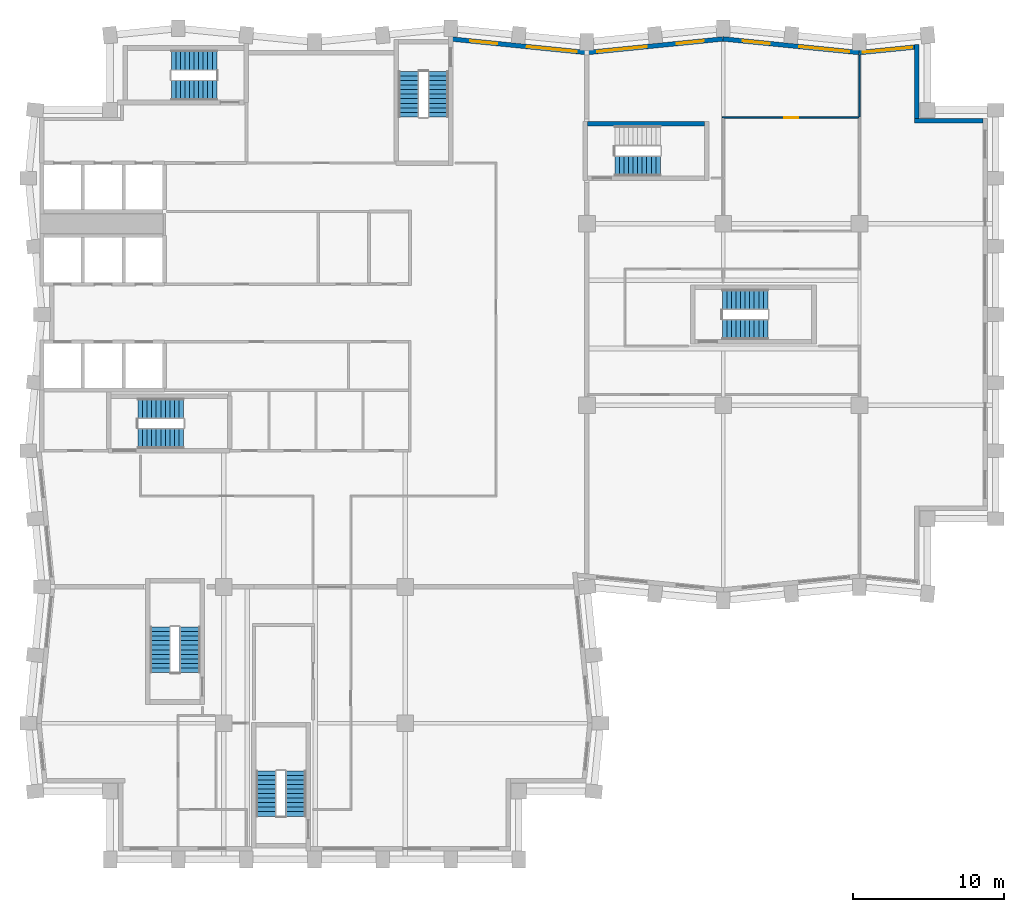
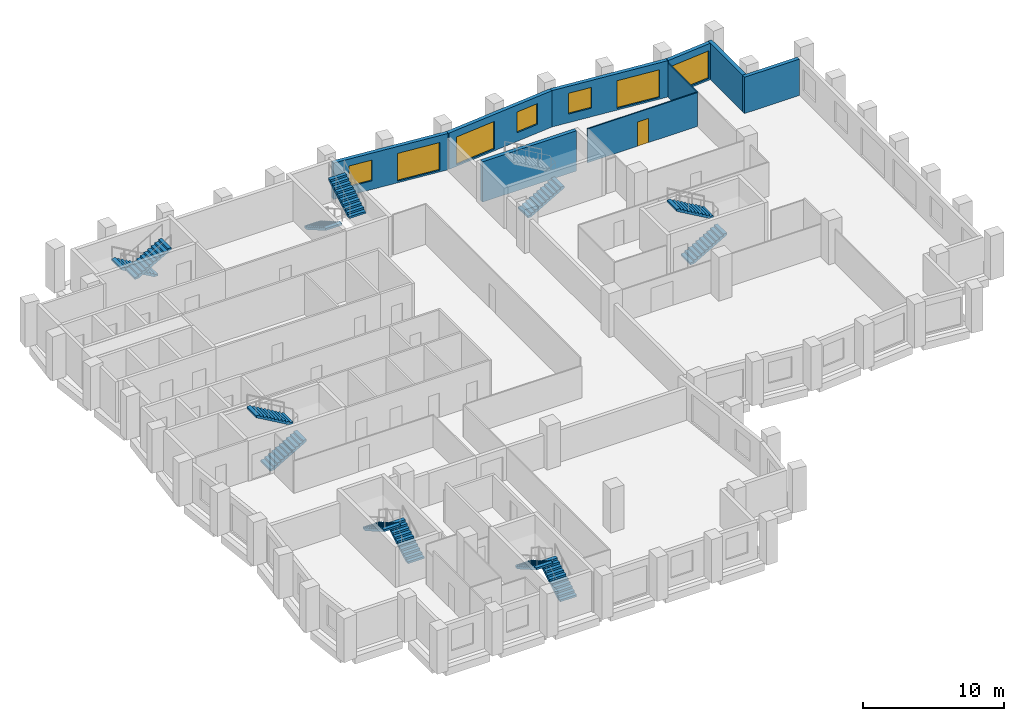
# One storey, part 7 of 10: 13 stair flights, 9 walls, 7 windows, 1 door, 8 openings, 7 elements without a shape of their own.
"""IFC4 building model written with IfcOpenShell, lengths in metres."""

from ifc_helpers import new_model, si_unit, direction, frame, frame_2d, origin, place, context, subcontext, project, spatial, polyline, rectangle, outline, extrude, material, layer, layer_set, type_object, element, fill, aggregate, save


model = new_model("IFC4")

# Units and contexts
model_context = context("Model", 3, precision=1e-05, world=origin(), true_north=direction((0.0, 1.0)))
body_context = subcontext(model_context, "Body", "Model", "MODEL_VIEW")
ifc_project = project(units=[si_unit("LENGTHUNIT", "METRE"), si_unit("AREAUNIT", "SQUARE_METRE"), si_unit("VOLUMEUNIT", "CUBIC_METRE"), si_unit("PLANEANGLEUNIT", "RADIAN"), si_unit("MASSUNIT", "GRAM", prefix="KILO")], contexts=[model_context])

# Site, building, storey
site_placement = place(None, origin())
site = spatial("IfcSite", under=ifc_project, at=site_placement, CompositionType="ELEMENT")
building_placement = place(site_placement, origin())
building = spatial("IfcBuilding", under=site, at=building_placement, Name="Brondeck Convention Tower", CompositionType="ELEMENT")
storey_placement = place(building_placement, frame((0.0, 0.0, 177.60009765625)))
storey = spatial("IfcBuildingStorey", under=building, at=storey_placement, Name="L43", CompositionType="ELEMENT", Elevation=177.60009765625)

# Walls
ifc_material_1 = material(Name="Precast concrete C50/60 bronze finish", Category="concrete")
ifc_layer_1 = layer(ifc_material_1, 0.070068359375, Name="Bronze precast facing")
ifc_material_2 = material(Name="Mineral wool")
ifc_layer_2 = layer(ifc_material_2, 0.159912109375, Name="Insulation")
ifc_material_3 = material(Name="Concrete C35/45", Category="concrete")
ifc_layer_3 = layer(ifc_material_3, 0.070068359375, Name="Backing")
ifc_layer_set_1 = layer_set([ifc_layer_1, ifc_layer_2, ifc_layer_3], Name="External infill wall, precast concrete C50/60 bronze facing")
wall_type_1 = type_object("IfcWallType", Name="External infill wall, precast concrete C50/60 bronze facing", PredefinedType="SOLIDWALL", material=ifc_layer_set_1)
wall_1_placement = place(storey_placement, frame((57.64990234375, 57.800048828125, 0.0), z_axis=(0.0, 0.0, 1.0), x_axis=(1.0, 0.0, 0.0)))
element("IfcWall", 1, at=wall_1_placement, inside=storey, type_object=wall_type_1, Name="ENV-EW-L43-P1-NC-NEA63-01", PredefinedType="SOLIDWALL", context=body_context, shape_type="SweptSolid", body=[
    extrude(rectangle(XDim=4.502197265625, YDim=0.300048828125, at=frame_2d((2.2509765625, 0.0))), origin(), (0.0, 0.0, 1.0), 3.14990234375),
])
wall_2_placement = place(storey_placement, frame((57.800048828125, 62.84228515625, 0.0), z_axis=(0.0, 0.0, 1.0), x_axis=(0.0, -1.0, 0.0)))
element("IfcWall", 2, at=wall_2_placement, inside=storey, type_object=wall_type_1, Name="ENV-EW-L43-P1-NC-NEA63-02", PredefinedType="SOLIDWALL", context=body_context, shape_type="SweptSolid", body=[
    extrude(rectangle(XDim=4.894287109375, YDim=0.300048828125, at=frame_2d((2.447265625, 0.0))), origin(), (0.0, 0.0, 1.0), 3.14990234375),
])

# Wall, opening, window
wall_3_placement = place(storey_placement, frame((53.985107421875, 62.294921875, 0.0), z_axis=(0.0, 0.0, 1.0), x_axis=(0.99503719021, 0.099503719021, 0.0)))
wall_3 = element("IfcWall", 3, at=wall_3_placement, inside=storey, type_object=wall_type_1, Name="ENV-EW-L43-P1-A-N-12", PredefinedType="SOLIDWALL", context=body_context, shape_type="SweptSolid", body=[
    extrude(rectangle(XDim=3.677978515625, YDim=0.300048828125, at=frame_2d((1.8388671875, 0.0))), origin(), (0.0, 0.0, 1.0), 3.14990234375),
])
opening_1_placement = place(wall_3_placement, frame((0.22802734375, 0.0, 0.14990234375)))
opening_1 = element("IfcOpeningElement", 4, at=opening_1_placement, cuts=wall_3, Name="Opening W9", PredefinedType="OPENING", context=body_context, shape_type="SweptSolid", body=[
    extrude(rectangle(XDim=3.300048828125, YDim=2.39990234375, at=frame_2d((1.64990234375, 1.199951171875))), frame((0.0, 0.159912109375, 0.0), z_axis=(0.0, -1.0, 0.0), x_axis=(1.0, 0.0, 0.0)), (0.0, 0.0, 1.0), 0.320068359375),
])
ifc_material_4 = material(Name="Bronze tinted double glazing", Category="glass")
window_type_1 = type_object("IfcWindowType", Name="Glazed flute window, bronze tinted", PartitioningType="SINGLE_PANEL", PredefinedType="WINDOW", material=ifc_material_4)
window_1_placement = place(opening_1_placement, origin())
window_1 = element("IfcWindow", 5, at=window_1_placement, inside=storey, type_object=window_type_1, Name="ENV-WN-L43-P1-A-N-12", OverallHeight=2.39990234375, OverallWidth=3.300048828125, PartitioningType="SINGLE_PANEL", PredefinedType="WINDOW", context=body_context, shape_type="SweptSolid", body=[
    extrude(rectangle(XDim=3.300048828125, YDim=2.39990234375, at=frame_2d((1.64990234375, 1.199951171875))), frame((0.0, 0.030029296875, 0.0), z_axis=(0.0, -1.0, 0.0), x_axis=(1.0, 0.0, 0.0)), (0.0, 0.0, 1.0), 0.06005859375),
])
fill(opening_1, window_1)

# Wall, openings, windows
wall_4_placement = place(storey_placement, frame((44.985107421875, 63.197998046875, 0.0), z_axis=(0.0, 0.0, 1.0), x_axis=(0.995037993253, -0.099495688264, 0.0)))
wall_4 = element("IfcWall", 6, at=wall_4_placement, inside=storey, type_object=wall_type_1, Name="ENV-EW-L43-P1-A-N-11", PredefinedType="SOLIDWALL", context=body_context, shape_type="SweptSolid", body=[
    extrude(rectangle(XDim=9.030029296875, YDim=0.300048828125, at=frame_2d((4.51513671875, 0.0))), origin(), (0.0, 0.0, 1.0), 3.14990234375),
])
opening_2_placement = place(wall_4_placement, frame((1.30615234375, 0.0, 0.75)))
opening_2 = element("IfcOpeningElement", 7, at=opening_2_placement, cuts=wall_4, Name="Opening W10", PredefinedType="OPENING", context=body_context, shape_type="SweptSolid", body=[
    extrude(rectangle(XDim=1.800048828125, YDim=1.800048828125, at=frame_2d((0.89990234375, 0.89990234375))), frame((0.0, 0.159912109375, 0.0), z_axis=(0.0, -1.0, 0.0), x_axis=(1.0, 0.0, 0.0)), (0.0, 0.0, 1.0), 0.320068359375),
])
opening_3_placement = place(wall_4_placement, frame((5.07861328125, 0.0, 0.14990234375)))
opening_3 = element("IfcOpeningElement", 8, at=opening_3_placement, cuts=wall_4, Name="Opening W9", PredefinedType="OPENING", context=body_context, shape_type="SweptSolid", body=[
    extrude(rectangle(XDim=3.300048828125, YDim=2.39990234375, at=frame_2d((1.64990234375, 1.199951171875))), frame((0.0, 0.159912109375, 0.0), z_axis=(0.0, -1.0, 0.0), x_axis=(1.0, 0.0, 0.0)), (0.0, 0.0, 1.0), 0.320068359375),
])
window_2_placement = place(opening_3_placement, origin())
window_2 = element("IfcWindow", 9, at=window_2_placement, inside=storey, type_object=window_type_1, Name="ENV-WN-L43-P1-A-N-11", OverallHeight=2.39990234375, OverallWidth=3.300048828125, PartitioningType="SINGLE_PANEL", PredefinedType="WINDOW", context=body_context, shape_type="SweptSolid", body=[
    extrude(rectangle(XDim=3.300048828125, YDim=2.39990234375, at=frame_2d((1.64990234375, 1.199951171875))), frame((0.0, 0.030029296875, 0.0), z_axis=(0.0, -1.0, 0.0), x_axis=(1.0, 0.0, 0.0)), (0.0, 0.0, 1.0), 0.06005859375),
])
fill(opening_3, window_2)
window_type_2 = type_object("IfcWindowType", Name="Punched window, bronze tinted", PartitioningType="SINGLE_PANEL", PredefinedType="WINDOW", material=ifc_material_4)
window_3_placement = place(opening_2_placement, origin())
window_3 = element("IfcWindow", 10, at=window_3_placement, inside=storey, type_object=window_type_2, Name="ENV-WN-L43-P1-A-N-10", OverallHeight=1.800048828125, OverallWidth=1.800048828125, PartitioningType="SINGLE_PANEL", PredefinedType="WINDOW", context=body_context, shape_type="SweptSolid", body=[
    extrude(rectangle(XDim=1.800048828125, YDim=1.800048828125, at=frame_2d((0.89990234375, 0.89990234375))), frame((0.0, 0.030029296875, 0.0), z_axis=(0.0, -1.0, 0.0), x_axis=(1.0, 0.0, 0.0)), (0.0, 0.0, 1.0), 0.06005859375),
])
fill(opening_2, window_3)

wall_5_placement = place(storey_placement, frame((35.985107421875, 62.294921875, 0.0), z_axis=(0.0, 0.0, 1.0), x_axis=(0.995035316196, 0.099522457379, 0.0)))
wall_5 = element("IfcWall", 11, at=wall_5_placement, inside=storey, type_object=wall_type_1, Name="ENV-EW-L43-P1-A-N-09", PredefinedType="SOLIDWALL", context=body_context, shape_type="SweptSolid", body=[
    extrude(rectangle(XDim=9.030029296875, YDim=0.300048828125, at=frame_2d((4.51513671875, 0.0))), origin(), (0.0, 0.0, 1.0), 3.14990234375),
])
opening_4_placement = place(wall_5_placement, frame((0.6962890625, 0.0, 0.14990234375)))
opening_4 = element("IfcOpeningElement", 12, at=opening_4_placement, cuts=wall_5, Name="Opening W9", PredefinedType="OPENING", context=body_context, shape_type="SweptSolid", body=[
    extrude(rectangle(XDim=3.300048828125, YDim=2.39990234375, at=frame_2d((1.64990234375, 1.199951171875))), frame((0.0, 0.159912109375, 0.0), z_axis=(0.0, -1.0, 0.0), x_axis=(1.0, 0.0, 0.0)), (0.0, 0.0, 1.0), 0.320068359375),
])
opening_5_placement = place(wall_5_placement, frame((5.968505859375, 0.0, 0.75)))
opening_5 = element("IfcOpeningElement", 13, at=opening_5_placement, cuts=wall_5, Name="Opening W10", PredefinedType="OPENING", context=body_context, shape_type="SweptSolid", body=[
    extrude(rectangle(XDim=1.800048828125, YDim=1.800048828125, at=frame_2d((0.89990234375, 0.89990234375))), frame((0.0, 0.159912109375, 0.0), z_axis=(0.0, -1.0, 0.0), x_axis=(1.0, 0.0, 0.0)), (0.0, 0.0, 1.0), 0.320068359375),
])
window_4_placement = place(opening_4_placement, origin())
window_4 = element("IfcWindow", 14, at=window_4_placement, inside=storey, type_object=window_type_1, Name="ENV-WN-L43-P1-A-N-08", OverallHeight=2.39990234375, OverallWidth=3.300048828125, PartitioningType="SINGLE_PANEL", PredefinedType="WINDOW", context=body_context, shape_type="SweptSolid", body=[
    extrude(rectangle(XDim=3.300048828125, YDim=2.39990234375, at=frame_2d((1.64990234375, 1.199951171875))), frame((0.0, 0.030029296875, 0.0), z_axis=(0.0, -1.0, 0.0), x_axis=(1.0, 0.0, 0.0)), (0.0, 0.0, 1.0), 0.06005859375),
])
fill(opening_4, window_4)
window_5_placement = place(opening_5_placement, origin())
window_5 = element("IfcWindow", 15, at=window_5_placement, inside=storey, type_object=window_type_2, Name="ENV-WN-L43-P1-A-N-09", OverallHeight=1.800048828125, OverallWidth=1.800048828125, PartitioningType="SINGLE_PANEL", PredefinedType="WINDOW", context=body_context, shape_type="SweptSolid", body=[
    extrude(rectangle(XDim=1.800048828125, YDim=1.800048828125, at=frame_2d((0.89990234375, 0.89990234375))), frame((0.0, 0.030029296875, 0.0), z_axis=(0.0, -1.0, 0.0), x_axis=(1.0, 0.0, 0.0)), (0.0, 0.0, 1.0), 0.06005859375),
])
fill(opening_5, window_5)

wall_6_placement = place(storey_placement, frame((27.07958984375, 63.188720703125, 0.0), z_axis=(0.0, 0.0, 1.0), x_axis=(0.995036108007, -0.099514540459, 0.0)))
wall_6 = element("IfcWall", 16, at=wall_6_placement, inside=storey, type_object=wall_type_1, Name="ENV-EW-L43-P1-A-N-07", PredefinedType="SOLIDWALL", context=body_context, shape_type="SweptSolid", body=[
    extrude(rectangle(XDim=8.93505859375, YDim=0.300048828125, at=frame_2d((4.467529296875, 0.0))), origin(), (0.0, 0.0, 1.0), 3.14990234375),
])
opening_6_placement = place(wall_6_placement, frame((1.211181640625, 0.0, 0.75)))
opening_6 = element("IfcOpeningElement", 17, at=opening_6_placement, cuts=wall_6, Name="Opening W10", PredefinedType="OPENING", context=body_context, shape_type="SweptSolid", body=[
    extrude(rectangle(XDim=1.800048828125, YDim=1.800048828125, at=frame_2d((0.89990234375, 0.89990234375))), frame((0.0, 0.159912109375, 0.0), z_axis=(0.0, -1.0, 0.0), x_axis=(1.0, 0.0, 0.0)), (0.0, 0.0, 1.0), 0.320068359375),
])
opening_7_placement = place(wall_6_placement, frame((4.983642578125, 0.0, 0.14990234375)))
opening_7 = element("IfcOpeningElement", 18, at=opening_7_placement, cuts=wall_6, Name="Opening W9", PredefinedType="OPENING", context=body_context, shape_type="SweptSolid", body=[
    extrude(rectangle(XDim=3.300048828125, YDim=2.39990234375, at=frame_2d((1.64990234375, 1.199951171875))), frame((0.0, 0.159912109375, 0.0), z_axis=(0.0, -1.0, 0.0), x_axis=(1.0, 0.0, 0.0)), (0.0, 0.0, 1.0), 0.320068359375),
])
window_6_placement = place(opening_7_placement, origin())
window_6 = element("IfcWindow", 19, at=window_6_placement, inside=storey, type_object=window_type_1, Name="ENV-WN-L43-P1-A-N-07", OverallHeight=2.39990234375, OverallWidth=3.300048828125, PartitioningType="SINGLE_PANEL", PredefinedType="WINDOW", context=body_context, shape_type="SweptSolid", body=[
    extrude(rectangle(XDim=3.300048828125, YDim=2.39990234375, at=frame_2d((1.64990234375, 1.199951171875))), frame((0.0, 0.030029296875, 0.0), z_axis=(0.0, -1.0, 0.0), x_axis=(1.0, 0.0, 0.0)), (0.0, 0.0, 1.0), 0.06005859375),
])
fill(opening_7, window_6)
window_7_placement = place(opening_6_placement, origin())
window_7 = element("IfcWindow", 20, at=window_7_placement, inside=storey, type_object=window_type_2, Name="ENV-WN-L43-P1-A-N-06", OverallHeight=1.800048828125, OverallWidth=1.800048828125, PartitioningType="SINGLE_PANEL", PredefinedType="WINDOW", context=body_context, shape_type="SweptSolid", body=[
    extrude(rectangle(XDim=1.800048828125, YDim=1.800048828125, at=frame_2d((0.89990234375, 0.89990234375))), frame((0.0, 0.030029296875, 0.0), z_axis=(0.0, -1.0, 0.0), x_axis=(1.0, 0.0, 0.0)), (0.0, 0.0, 1.0), 0.06005859375),
])
fill(opening_6, window_7)

# Wall, opening, door
ifc_material_5 = material(Name="Gypsum board partition on steel studs", Category="steel")
ifc_layer_4 = layer(ifc_material_5, 0.10009765625)
ifc_layer_set_2 = layer_set([ifc_layer_4], Name="Room partition 100")
wall_type_2 = type_object("IfcWallType", Name="Room partition 100", PredefinedType="PARTITIONING", material=ifc_layer_set_2)
wall_7_placement = place(storey_placement, frame((44.949951171875, 58.0, 0.0), z_axis=(0.0, 0.0, 1.0), x_axis=(1.0, 0.0, 0.0)))
wall_7 = element("IfcWall", 21, at=wall_7_placement, inside=storey, type_object=wall_type_2, Name="FLR-L43-W050", PredefinedType="PARTITIONING", context=body_context, shape_type="SweptSolid", body=[
    extrude(rectangle(XDim=9.0, YDim=0.10009765625, at=frame_2d((4.5, 0.0))), origin(), (0.0, 0.0, 1.0), 2.929931640625),
])
opening_8_placement = place(wall_7_placement, frame((4.10009765625, 0.0, 0.0)))
opening_8 = element("IfcOpeningElement", 22, at=opening_8_placement, cuts=wall_7, Name="Opening OF-I-008", PredefinedType="OPENING", context=body_context, shape_type="SweptSolid", body=[
    extrude(rectangle(XDim=0.89990234375, YDim=2.10009765625, at=frame_2d((0.449951171875, 1.050048828125))), frame((0.0, 0.06005859375, 0.0), z_axis=(0.0, -1.0, 0.0), x_axis=(1.0, 0.0, 0.0)), (0.0, 0.0, 1.0), 0.1201171875),
])
ifc_material_6 = material(Name="Solid timber door leaf", Category="wood")
door_type = type_object("IfcDoorType", Name="Single door 900", OperationType="NOTDEFINED", PredefinedType="DOOR", material=ifc_material_6)
door_placement = place(opening_8_placement, origin())
door = element("IfcDoor", 23, at=door_placement, inside=storey, type_object=door_type, Name="Door OF-I-008", OperationType="SINGLE_SWING_LEFT", OverallHeight=2.10009765625, OverallWidth=0.89990234375, PredefinedType="DOOR", context=body_context, shape_type="SweptSolid", body=[
    extrude(rectangle(XDim=0.89990234375, YDim=2.10009765625, at=frame_2d((0.449951171875, 1.050048828125))), frame((0.0, 0.02490234375, 0.0), z_axis=(0.0, -1.0, 0.0), x_axis=(1.0, 0.0, 0.0)), (0.0, 0.0, 1.0), 0.050048828125),
])
fill(opening_8, door)

# Walls
wall_8_placement = place(storey_placement, frame((54.0, 58.050048828125, 0.0), z_axis=(0.0, 0.0, 1.0), x_axis=(0.0, 1.0, 0.0)))
element("IfcWall", 24, at=wall_8_placement, inside=storey, type_object=wall_type_2, Name="FLR-L43-W051", PredefinedType="PARTITIONING", context=body_context, shape_type="SweptSolid", body=[
    extrude(rectangle(XDim=4.07568359375, YDim=0.10009765625, at=frame_2d((2.037841796875, 0.0))), origin(), (0.0, 0.0, 1.0), 2.929931640625),
])
ifc_material_7 = material(Name="Concrete C70/85", Category="concrete")
ifc_layer_5 = layer(ifc_material_7, 0.300048828125)
ifc_layer_set_3 = layer_set([ifc_layer_5], Name="Stair enclosure wall 300 Concrete C70/85")
wall_type_3 = type_object("IfcWallType", Name="Stair enclosure wall 300 Concrete C70/85", PredefinedType="SHEAR", material=ifc_layer_set_3)
wall_9_placement = place(storey_placement, frame((36.050048828125, 57.60009765625, 0.0), z_axis=(0.0, 0.0, 1.0), x_axis=(1.0, 0.0, 0.0)))
element("IfcWall", 25, at=wall_9_placement, inside=storey, type_object=wall_type_3, Name="L43 core wall", PredefinedType="SHEAR", context=body_context, shape_type="SweptSolid", body=[
    extrude(rectangle(XDim=7.699951171875, YDim=0.300048828125, at=frame_2d((3.85009765625, 0.0))), origin(), (0.0, 0.0, 1.0), 3.5),
])

# Stair, stair flights
ifc_material_8 = material(Name="Precast concrete C50/60", Category="concrete")
stair_type = type_object("IfcStairType", Name="Core stair 22 risers 172.73 mm riser 300 mm going 1350 wide", PredefinedType="HALF_TURN_STAIR", material=ifc_material_8)
stair_1_placement = place(storey_placement, origin())
stair_1 = element("IfcStair", 26, at=stair_1_placement, inside=storey, type_object=stair_type, Name="ST-1 L43 stair", PredefinedType="HALF_TURN_STAIR")
stair_flight_type = type_object("IfcStairFlightType", Name="Core stair flight 22 risers 172.73 mm riser 300 mm going 1350 wide", PredefinedType="STRAIGHT", material=ifc_material_8)
stair_flight_1_placement = place(storey_placement, frame((6.35009765625, 36.824951171875, 0.0), z_axis=(0.0, 0.0, 1.0), x_axis=(1.0, 0.0, 0.0)))
stair_flight_1 = element("IfcStairFlight", 27, at=stair_flight_1_placement, type_object=stair_flight_type, Name="ST-1 flight 1", NumberOfRisers=11, NumberOfTreads=10, PredefinedType="STRAIGHT", RiserHeight=0.172727273, TreadLength=0.3, context=body_context, shape_type="SweptSolid", body=[
    extrude(outline(polyline([(0.0, 0.0), (0.0, 0.172607421875), (0.300048828125, 0.172607421875), (0.300048828125, 0.345458984375), (0.60009765625, 0.345458984375), (0.60009765625, 0.51806640625), (0.89990234375, 0.51806640625), (0.89990234375, 0.69091796875), (1.199951171875, 0.69091796875), (1.199951171875, 0.863525390625), (1.5, 0.863525390625), (1.5, 1.036376953125), (1.800048828125, 1.036376953125), (1.800048828125, 1.208984375), (2.10009765625, 1.208984375), (2.10009765625, 1.3818359375), (2.39990234375, 1.3818359375), (2.39990234375, 1.554443359375), (2.699951171875, 1.554443359375), (2.699951171875, 1.727294921875), (3.0, 1.727294921875), (3.0, 1.89990234375), (3.0, 1.55419921875), (0.300537109375, 0.0), (0.0, 0.0)])), frame((0.0, 0.675048828125, 0.0), z_axis=(0.0, -1.0, 0.0), x_axis=(1.0, 0.0, 0.0)), (0.0, 0.0, 1.0), 1.35009765625),
])
stair_flight_2_placement = place(storey_placement, frame((9.35009765625, 38.77490234375, 1.89990234375), z_axis=(0.0, 0.0, 1.0), x_axis=(-1.0, 0.0, 0.0)))
stair_flight_2 = element("IfcStairFlight", 28, at=stair_flight_2_placement, type_object=stair_flight_type, Name="ST-1 flight 2", NumberOfRisers=11, NumberOfTreads=10, PredefinedType="STRAIGHT", RiserHeight=0.172727273, TreadLength=0.3, context=body_context, shape_type="SweptSolid", body=[
    extrude(outline(polyline([(0.0, 0.0), (0.0, 0.172607421875), (0.300048828125, 0.172607421875), (0.300048828125, 0.345458984375), (0.60009765625, 0.345458984375), (0.60009765625, 0.51806640625), (0.89990234375, 0.51806640625), (0.89990234375, 0.69091796875), (1.199951171875, 0.69091796875), (1.199951171875, 0.863525390625), (1.5, 0.863525390625), (1.5, 1.036376953125), (1.800048828125, 1.036376953125), (1.800048828125, 1.208984375), (2.10009765625, 1.208984375), (2.10009765625, 1.3818359375), (2.39990234375, 1.3818359375), (2.39990234375, 1.554443359375), (2.699951171875, 1.554443359375), (2.699951171875, 1.727294921875), (3.0, 1.727294921875), (3.0, 1.89990234375), (3.0, 1.55419921875), (0.300537109375, 0.0), (0.0, 0.0)])), frame((0.0, 0.675048828125, 0.0), z_axis=(0.0, -1.0, 0.0), x_axis=(1.0, 0.0, 0.0)), (0.0, 0.0, 1.0), 1.35009765625),
])
aggregate(stair_1, [stair_flight_1, stair_flight_2])

stair_2_placement = place(storey_placement, origin())
stair_2 = element("IfcStair", 29, at=stair_2_placement, inside=storey, type_object=stair_type, Name="ST-2 L43 stair", PredefinedType="HALF_TURN_STAIR")
stair_flight_3_placement = place(storey_placement, frame((24.22509765625, 61.050048828125, 0.0), z_axis=(0.0, 0.0, 1.0), x_axis=(0.0, -1.0, 0.0)))
stair_flight_3 = element("IfcStairFlight", 30, at=stair_flight_3_placement, type_object=stair_flight_type, Name="ST-2 flight 1", NumberOfRisers=11, NumberOfTreads=10, PredefinedType="STRAIGHT", RiserHeight=0.172727273, TreadLength=0.3, context=body_context, shape_type="SweptSolid", body=[
    extrude(outline(polyline([(0.0, 0.0), (0.0, 0.172607421875), (0.300048828125, 0.172607421875), (0.300048828125, 0.345458984375), (0.60009765625, 0.345458984375), (0.60009765625, 0.51806640625), (0.89990234375, 0.51806640625), (0.89990234375, 0.69091796875), (1.199951171875, 0.69091796875), (1.199951171875, 0.863525390625), (1.5, 0.863525390625), (1.5, 1.036376953125), (1.800048828125, 1.036376953125), (1.800048828125, 1.208984375), (2.10009765625, 1.208984375), (2.10009765625, 1.3818359375), (2.39990234375, 1.3818359375), (2.39990234375, 1.554443359375), (2.699951171875, 1.554443359375), (2.699951171875, 1.727294921875), (3.0, 1.727294921875), (3.0, 1.89990234375), (3.0, 1.55419921875), (0.300537109375, 0.0), (0.0, 0.0)])), frame((0.0, 0.675048828125, 0.0), z_axis=(0.0, -1.0, 0.0), x_axis=(1.0, 0.0, 0.0)), (0.0, 0.0, 1.0), 1.35009765625),
])
stair_flight_4_placement = place(storey_placement, frame((26.175048828125, 58.050048828125, 1.89990234375), z_axis=(0.0, 0.0, 1.0), x_axis=(0.0, 1.0, 0.0)))
stair_flight_4 = element("IfcStairFlight", 31, at=stair_flight_4_placement, type_object=stair_flight_type, Name="ST-2 flight 2", NumberOfRisers=11, NumberOfTreads=10, PredefinedType="STRAIGHT", RiserHeight=0.172727273, TreadLength=0.3, context=body_context, shape_type="SweptSolid", body=[
    extrude(outline(polyline([(0.0, 0.0), (0.0, 0.172607421875), (0.300048828125, 0.172607421875), (0.300048828125, 0.345458984375), (0.60009765625, 0.345458984375), (0.60009765625, 0.51806640625), (0.89990234375, 0.51806640625), (0.89990234375, 0.69091796875), (1.199951171875, 0.69091796875), (1.199951171875, 0.863525390625), (1.5, 0.863525390625), (1.5, 1.036376953125), (1.800048828125, 1.036376953125), (1.800048828125, 1.208984375), (2.10009765625, 1.208984375), (2.10009765625, 1.3818359375), (2.39990234375, 1.3818359375), (2.39990234375, 1.554443359375), (2.699951171875, 1.554443359375), (2.699951171875, 1.727294921875), (3.0, 1.727294921875), (3.0, 1.89990234375), (3.0, 1.55419921875), (0.300537109375, 0.0), (0.0, 0.0)])), frame((0.0, 0.675048828125, 0.0), z_axis=(0.0, -1.0, 0.0), x_axis=(1.0, 0.0, 0.0)), (0.0, 0.0, 1.0), 1.35009765625),
])
aggregate(stair_2, [stair_flight_3, stair_flight_4])

stair_3_placement = place(storey_placement, origin())
stair_3 = element("IfcStair", 32, at=stair_3_placement, inside=storey, type_object=stair_type, Name="ST-3 L43 stair", PredefinedType="HALF_TURN_STAIR")
stair_flight_5_placement = place(storey_placement, frame((11.550048828125, 61.77490234375, 0.0), z_axis=(0.0, 0.0, 1.0), x_axis=(-1.0, 0.0, 0.0)))
stair_flight_5 = element("IfcStairFlight", 33, at=stair_flight_5_placement, type_object=stair_flight_type, Name="ST-3 flight 1", NumberOfRisers=11, NumberOfTreads=10, PredefinedType="STRAIGHT", RiserHeight=0.172727273, TreadLength=0.3, context=body_context, shape_type="SweptSolid", body=[
    extrude(outline(polyline([(0.0, 0.0), (0.0, 0.172607421875), (0.300048828125, 0.172607421875), (0.300048828125, 0.345458984375), (0.60009765625, 0.345458984375), (0.60009765625, 0.51806640625), (0.89990234375, 0.51806640625), (0.89990234375, 0.69091796875), (1.199951171875, 0.69091796875), (1.199951171875, 0.863525390625), (1.5, 0.863525390625), (1.5, 1.036376953125), (1.800048828125, 1.036376953125), (1.800048828125, 1.208984375), (2.10009765625, 1.208984375), (2.10009765625, 1.3818359375), (2.39990234375, 1.3818359375), (2.39990234375, 1.554443359375), (2.699951171875, 1.554443359375), (2.699951171875, 1.727294921875), (3.0, 1.727294921875), (3.0, 1.89990234375), (3.0, 1.55419921875), (0.300537109375, 0.0), (0.0, 0.0)])), frame((0.0, 0.675048828125, 0.0), z_axis=(0.0, -1.0, 0.0), x_axis=(1.0, 0.0, 0.0)), (0.0, 0.0, 1.0), 1.35009765625),
])
stair_flight_6_placement = place(storey_placement, frame((8.550048828125, 59.824951171875, 1.89990234375), z_axis=(0.0, 0.0, 1.0), x_axis=(1.0, 0.0, 0.0)))
stair_flight_6 = element("IfcStairFlight", 34, at=stair_flight_6_placement, type_object=stair_flight_type, Name="ST-3 flight 2", NumberOfRisers=11, NumberOfTreads=10, PredefinedType="STRAIGHT", RiserHeight=0.172727273, TreadLength=0.3, context=body_context, shape_type="SweptSolid", body=[
    extrude(outline(polyline([(0.0, 0.0), (0.0, 0.172607421875), (0.300048828125, 0.172607421875), (0.300048828125, 0.345458984375), (0.60009765625, 0.345458984375), (0.60009765625, 0.51806640625), (0.89990234375, 0.51806640625), (0.89990234375, 0.69091796875), (1.199951171875, 0.69091796875), (1.199951171875, 0.863525390625), (1.5, 0.863525390625), (1.5, 1.036376953125), (1.800048828125, 1.036376953125), (1.800048828125, 1.208984375), (2.10009765625, 1.208984375), (2.10009765625, 1.3818359375), (2.39990234375, 1.3818359375), (2.39990234375, 1.554443359375), (2.699951171875, 1.554443359375), (2.699951171875, 1.727294921875), (3.0, 1.727294921875), (3.0, 1.89990234375), (3.0, 1.55419921875), (0.300537109375, 0.0), (0.0, 0.0)])), frame((0.0, 0.675048828125, 0.0), z_axis=(0.0, -1.0, 0.0), x_axis=(1.0, 0.0, 0.0)), (0.0, 0.0, 1.0), 1.35009765625),
])
aggregate(stair_3, [stair_flight_5, stair_flight_6])

# Stair, stair flight
stair_4_placement = place(storey_placement, origin())
stair_4 = element("IfcStair", 35, at=stair_4_placement, inside=storey, type_object=stair_type, Name="ST-AE L43 stair", PredefinedType="HALF_TURN_STAIR")
stair_flight_7_placement = place(storey_placement, frame((37.85009765625, 54.824951171875, 0.0), z_axis=(0.0, 0.0, 1.0), x_axis=(1.0, 0.0, 0.0)))
stair_flight_7 = element("IfcStairFlight", 36, at=stair_flight_7_placement, type_object=stair_flight_type, Name="ST-AE flight 1", NumberOfRisers=11, NumberOfTreads=10, PredefinedType="STRAIGHT", RiserHeight=0.172727273, TreadLength=0.3, context=body_context, shape_type="SweptSolid", body=[
    extrude(outline(polyline([(0.0, 0.0), (0.0, 0.172607421875), (0.300048828125, 0.172607421875), (0.300048828125, 0.345458984375), (0.60009765625, 0.345458984375), (0.60009765625, 0.51806640625), (0.89990234375, 0.51806640625), (0.89990234375, 0.69091796875), (1.199951171875, 0.69091796875), (1.199951171875, 0.863525390625), (1.5, 0.863525390625), (1.5, 1.036376953125), (1.800048828125, 1.036376953125), (1.800048828125, 1.208984375), (2.10009765625, 1.208984375), (2.10009765625, 1.3818359375), (2.39990234375, 1.3818359375), (2.39990234375, 1.554443359375), (2.699951171875, 1.554443359375), (2.699951171875, 1.727294921875), (3.0, 1.727294921875), (3.0, 1.89990234375), (3.0, 1.55419921875), (0.300537109375, 0.0), (0.0, 0.0)])), frame((0.0, 0.675048828125, 0.0), z_axis=(0.0, -1.0, 0.0), x_axis=(1.0, 0.0, 0.0)), (0.0, 0.0, 1.0), 1.35009765625),
])
aggregate(stair_4, [stair_flight_7])

# Stair, stair flights
stair_5_placement = place(storey_placement, origin())
stair_5 = element("IfcStair", 37, at=stair_5_placement, inside=storey, type_object=stair_type, Name="ST-BE L43 stair", PredefinedType="HALF_TURN_STAIR")
stair_flight_8_placement = place(storey_placement, frame((9.77490234375, 21.35009765625, 0.0), z_axis=(0.0, 0.0, 1.0), x_axis=(0.0, 1.0, 0.0)))
stair_flight_8 = element("IfcStairFlight", 38, at=stair_flight_8_placement, type_object=stair_flight_type, Name="ST-BE flight 1", NumberOfRisers=11, NumberOfTreads=10, PredefinedType="STRAIGHT", RiserHeight=0.172727273, TreadLength=0.3, context=body_context, shape_type="SweptSolid", body=[
    extrude(outline(polyline([(0.0, 0.0), (0.0, 0.172607421875), (0.300048828125, 0.172607421875), (0.300048828125, 0.345458984375), (0.60009765625, 0.345458984375), (0.60009765625, 0.51806640625), (0.89990234375, 0.51806640625), (0.89990234375, 0.69091796875), (1.199951171875, 0.69091796875), (1.199951171875, 0.863525390625), (1.5, 0.863525390625), (1.5, 1.036376953125), (1.800048828125, 1.036376953125), (1.800048828125, 1.208984375), (2.10009765625, 1.208984375), (2.10009765625, 1.3818359375), (2.39990234375, 1.3818359375), (2.39990234375, 1.554443359375), (2.699951171875, 1.554443359375), (2.699951171875, 1.727294921875), (3.0, 1.727294921875), (3.0, 1.89990234375), (3.0, 1.55419921875), (0.300537109375, 0.0), (0.0, 0.0)])), frame((0.0, 0.675048828125, 0.0), z_axis=(0.0, -1.0, 0.0), x_axis=(1.0, 0.0, 0.0)), (0.0, 0.0, 1.0), 1.35009765625),
])
stair_flight_9_placement = place(storey_placement, frame((7.824951171875, 24.35009765625, 1.89990234375), z_axis=(0.0, 0.0, 1.0), x_axis=(0.0, -1.0, 0.0)))
stair_flight_9 = element("IfcStairFlight", 39, at=stair_flight_9_placement, type_object=stair_flight_type, Name="ST-BE flight 2", NumberOfRisers=11, NumberOfTreads=10, PredefinedType="STRAIGHT", RiserHeight=0.172727273, TreadLength=0.3, context=body_context, shape_type="SweptSolid", body=[
    extrude(outline(polyline([(0.0, 0.0), (0.0, 0.172607421875), (0.300048828125, 0.172607421875), (0.300048828125, 0.345458984375), (0.60009765625, 0.345458984375), (0.60009765625, 0.51806640625), (0.89990234375, 0.51806640625), (0.89990234375, 0.69091796875), (1.199951171875, 0.69091796875), (1.199951171875, 0.863525390625), (1.5, 0.863525390625), (1.5, 1.036376953125), (1.800048828125, 1.036376953125), (1.800048828125, 1.208984375), (2.10009765625, 1.208984375), (2.10009765625, 1.3818359375), (2.39990234375, 1.3818359375), (2.39990234375, 1.554443359375), (2.699951171875, 1.554443359375), (2.699951171875, 1.727294921875), (3.0, 1.727294921875), (3.0, 1.89990234375), (3.0, 1.55419921875), (0.300537109375, 0.0), (0.0, 0.0)])), frame((0.0, 0.675048828125, 0.0), z_axis=(0.0, -1.0, 0.0), x_axis=(1.0, 0.0, 0.0)), (0.0, 0.0, 1.0), 1.35009765625),
])
aggregate(stair_5, [stair_flight_8, stair_flight_9])

stair_6_placement = place(storey_placement, origin())
stair_6 = element("IfcStair", 40, at=stair_6_placement, inside=storey, type_object=stair_type, Name="ST-AF L43 stair", PredefinedType="HALF_TURN_STAIR")
stair_flight_10_placement = place(storey_placement, frame((44.949951171875, 44.02490234375, 0.0), z_axis=(0.0, 0.0, 1.0), x_axis=(1.0, 0.0, 0.0)))
stair_flight_10 = element("IfcStairFlight", 41, at=stair_flight_10_placement, type_object=stair_flight_type, Name="ST-AF flight 1", NumberOfRisers=11, NumberOfTreads=10, PredefinedType="STRAIGHT", RiserHeight=0.172727273, TreadLength=0.3, context=body_context, shape_type="SweptSolid", body=[
    extrude(outline(polyline([(0.0, 0.0), (0.0, 0.172607421875), (0.300048828125, 0.172607421875), (0.300048828125, 0.345458984375), (0.60009765625, 0.345458984375), (0.60009765625, 0.51806640625), (0.89990234375, 0.51806640625), (0.89990234375, 0.69091796875), (1.199951171875, 0.69091796875), (1.199951171875, 0.863525390625), (1.5, 0.863525390625), (1.5, 1.036376953125), (1.800048828125, 1.036376953125), (1.800048828125, 1.208984375), (2.10009765625, 1.208984375), (2.10009765625, 1.3818359375), (2.39990234375, 1.3818359375), (2.39990234375, 1.554443359375), (2.699951171875, 1.554443359375), (2.699951171875, 1.727294921875), (3.0, 1.727294921875), (3.0, 1.89990234375), (3.0, 1.55419921875), (0.300537109375, 0.0), (0.0, 0.0)])), frame((0.0, 0.675048828125, 0.0), z_axis=(0.0, -1.0, 0.0), x_axis=(1.0, 0.0, 0.0)), (0.0, 0.0, 1.0), 1.35009765625),
])
stair_flight_11_placement = place(storey_placement, frame((47.949951171875, 45.97509765625, 1.89990234375), z_axis=(0.0, 0.0, 1.0), x_axis=(-1.0, 0.0, 0.0)))
stair_flight_11 = element("IfcStairFlight", 42, at=stair_flight_11_placement, type_object=stair_flight_type, Name="ST-AF flight 2", NumberOfRisers=11, NumberOfTreads=10, PredefinedType="STRAIGHT", RiserHeight=0.172727273, TreadLength=0.3, context=body_context, shape_type="SweptSolid", body=[
    extrude(outline(polyline([(0.0, 0.0), (0.0, 0.172607421875), (0.300048828125, 0.172607421875), (0.300048828125, 0.345458984375), (0.60009765625, 0.345458984375), (0.60009765625, 0.51806640625), (0.89990234375, 0.51806640625), (0.89990234375, 0.69091796875), (1.199951171875, 0.69091796875), (1.199951171875, 0.863525390625), (1.5, 0.863525390625), (1.5, 1.036376953125), (1.800048828125, 1.036376953125), (1.800048828125, 1.208984375), (2.10009765625, 1.208984375), (2.10009765625, 1.3818359375), (2.39990234375, 1.3818359375), (2.39990234375, 1.554443359375), (2.699951171875, 1.554443359375), (2.699951171875, 1.727294921875), (3.0, 1.727294921875), (3.0, 1.89990234375), (3.0, 1.55419921875), (0.300537109375, 0.0), (0.0, 0.0)])), frame((0.0, 0.675048828125, 0.0), z_axis=(0.0, -1.0, 0.0), x_axis=(1.0, 0.0, 0.0)), (0.0, 0.0, 1.0), 1.35009765625),
])
aggregate(stair_6, [stair_flight_10, stair_flight_11])

stair_7_placement = place(storey_placement, origin())
stair_7 = element("IfcStair", 43, at=stair_7_placement, inside=storey, type_object=stair_type, Name="ST-BF L43 stair", PredefinedType="HALF_TURN_STAIR")
stair_flight_12_placement = place(storey_placement, frame((16.77490234375, 11.85009765625, 0.0), z_axis=(0.0, 0.0, 1.0), x_axis=(0.0, 1.0, 0.0)))
stair_flight_12 = element("IfcStairFlight", 44, at=stair_flight_12_placement, type_object=stair_flight_type, Name="ST-BF flight 1", NumberOfRisers=11, NumberOfTreads=10, PredefinedType="STRAIGHT", RiserHeight=0.172727273, TreadLength=0.3, context=body_context, shape_type="SweptSolid", body=[
    extrude(outline(polyline([(0.0, 0.0), (0.0, 0.172607421875), (0.300048828125, 0.172607421875), (0.300048828125, 0.345458984375), (0.60009765625, 0.345458984375), (0.60009765625, 0.51806640625), (0.89990234375, 0.51806640625), (0.89990234375, 0.69091796875), (1.199951171875, 0.69091796875), (1.199951171875, 0.863525390625), (1.5, 0.863525390625), (1.5, 1.036376953125), (1.800048828125, 1.036376953125), (1.800048828125, 1.208984375), (2.10009765625, 1.208984375), (2.10009765625, 1.3818359375), (2.39990234375, 1.3818359375), (2.39990234375, 1.554443359375), (2.699951171875, 1.554443359375), (2.699951171875, 1.727294921875), (3.0, 1.727294921875), (3.0, 1.89990234375), (3.0, 1.55419921875), (0.300537109375, 0.0), (0.0, 0.0)])), frame((0.0, 0.675048828125, 0.0), z_axis=(0.0, -1.0, 0.0), x_axis=(1.0, 0.0, 0.0)), (0.0, 0.0, 1.0), 1.35009765625),
])
stair_flight_13_placement = place(storey_placement, frame((14.824951171875, 14.85009765625, 1.89990234375), z_axis=(0.0, 0.0, 1.0), x_axis=(0.0, -1.0, 0.0)))
stair_flight_13 = element("IfcStairFlight", 45, at=stair_flight_13_placement, type_object=stair_flight_type, Name="ST-BF flight 2", NumberOfRisers=11, NumberOfTreads=10, PredefinedType="STRAIGHT", RiserHeight=0.172727273, TreadLength=0.3, context=body_context, shape_type="SweptSolid", body=[
    extrude(outline(polyline([(0.0, 0.0), (0.0, 0.172607421875), (0.300048828125, 0.172607421875), (0.300048828125, 0.345458984375), (0.60009765625, 0.345458984375), (0.60009765625, 0.51806640625), (0.89990234375, 0.51806640625), (0.89990234375, 0.69091796875), (1.199951171875, 0.69091796875), (1.199951171875, 0.863525390625), (1.5, 0.863525390625), (1.5, 1.036376953125), (1.800048828125, 1.036376953125), (1.800048828125, 1.208984375), (2.10009765625, 1.208984375), (2.10009765625, 1.3818359375), (2.39990234375, 1.3818359375), (2.39990234375, 1.554443359375), (2.699951171875, 1.554443359375), (2.699951171875, 1.727294921875), (3.0, 1.727294921875), (3.0, 1.89990234375), (3.0, 1.55419921875), (0.300537109375, 0.0), (0.0, 0.0)])), frame((0.0, 0.675048828125, 0.0), z_axis=(0.0, -1.0, 0.0), x_axis=(1.0, 0.0, 0.0)), (0.0, 0.0, 1.0), 1.35009765625),
])
aggregate(stair_7, [stair_flight_12, stair_flight_13])

save(model, "model.ifc")
